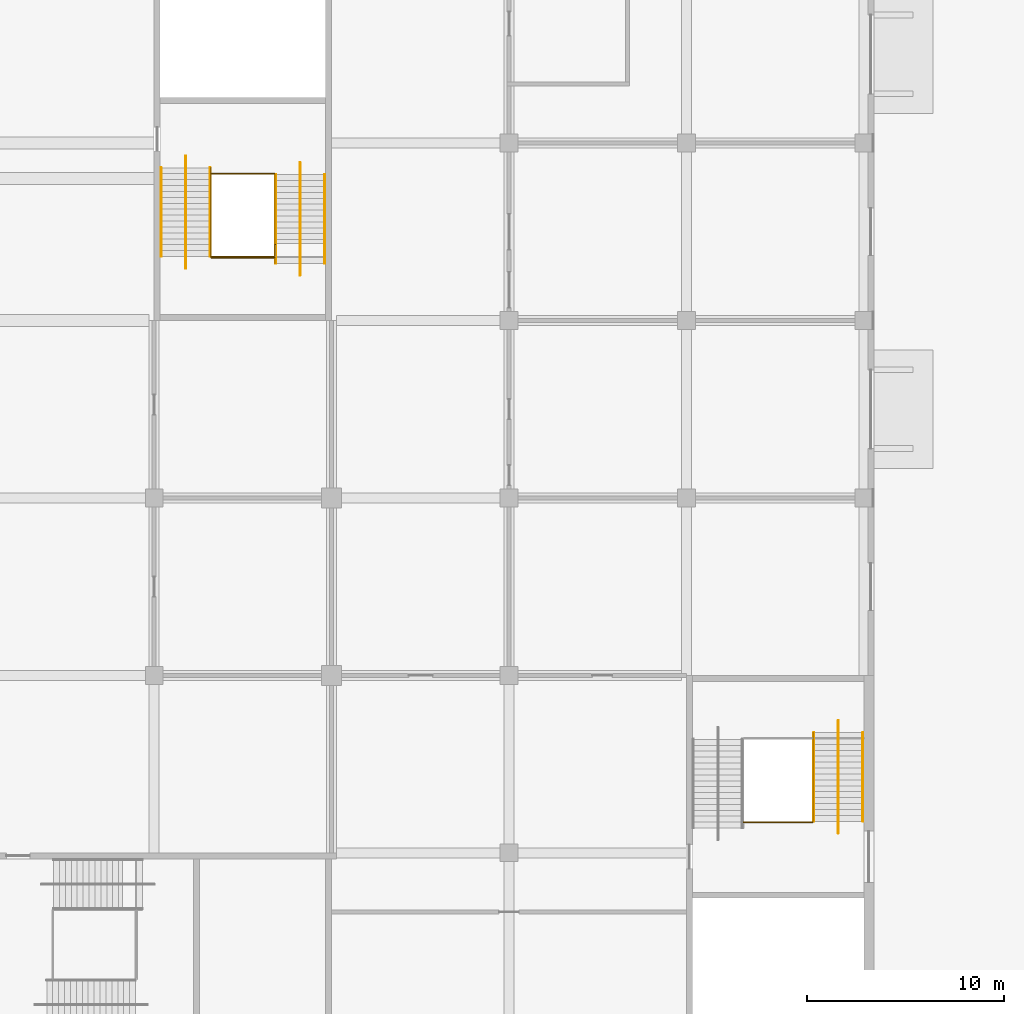
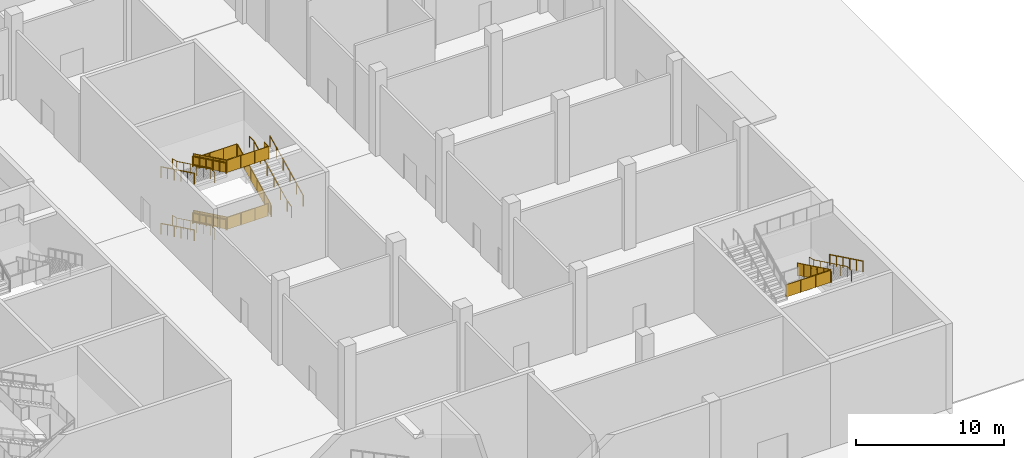
# One storey, part 74 of 92: 20 railings.
"""IFC4 building model written with IfcOpenShell, lengths in metres."""

from ifc_helpers import new_model, si_unit, direction, frame, origin, origin_2d, place, context, subcontext, project, spatial, polyline, circle, outline, extrude, material, type_object, element, save


model = new_model("IFC4")

# Units and contexts
model_context = context("Model", 3, precision=1e-05, world=origin(), true_north=direction((0.0, 1.0)))
body_context = subcontext(model_context, "Body", "Model", "MODEL_VIEW")
ifc_project = project(units=[si_unit("LENGTHUNIT", "METRE"), si_unit("AREAUNIT", "SQUARE_METRE"), si_unit("VOLUMEUNIT", "CUBIC_METRE"), si_unit("PLANEANGLEUNIT", "RADIAN"), si_unit("MASSUNIT", "GRAM", prefix="KILO")], contexts=[model_context])

# Site, building, storey
site_placement = place(None, origin())
site = spatial("IfcSite", under=ifc_project, at=site_placement, CompositionType="ELEMENT")
building_placement = place(site_placement, origin())
building = spatial("IfcBuilding", under=site, at=building_placement, Name="Silverbay Arena", CompositionType="ELEMENT")
storey_placement = place(building_placement, origin())
storey = spatial("IfcBuildingStorey", under=building, at=storey_placement, Name="L00", CompositionType="ELEMENT", Elevation=0.0)

# Railings
ifc_material_1 = material(Name="Stainless steel", Category="steel")
railing_type_1 = type_object("IfcRailingType", Name="Stair guard 1100", PredefinedType="GUARDRAIL", material=ifc_material_1)
railing_1_placement = place(storey_placement, frame((200.875, 61.7431640625, 0.145751953125)))
element("IfcRailing", 1, at=railing_1_placement, inside=storey, type_object=railing_type_1, Name="Stair ST-E1 L00 to L01 flight 1 guard right", PredefinedType="GUARDRAIL", context=body_context, shape_type="SweptSolid", body=[
    extrude(circle(Radius=0.02392578125, at=origin_2d()), frame((0.0, 0.0, 1.076171875), z_axis=(0.0, -0.899367854138, 0.437192706873), x_axis=(1.0, 0.0, 0.0)), (0.0, 0.0, 1.0), 5.00341796875),
    extrude(outline(polyline([(-0.008056640625, 0.046142578125), (0.907958984375, 0.491455078125), (0.907958984375, 1.494384765625), (-0.008056640625, 1.049072265625), (-0.008056640625, 0.046142578125)])), frame((0.0029296875, 0.0, 0.0), z_axis=(-1.0, 0.0, 0.0), x_axis=(0.0, -1.0, 0.0)), (0.0, 0.0, 1.0), 0.006103515625),
    extrude(outline(polyline([(-0.008056640625, 0.483642578125), (0.907958984375, 0.928955078125), (0.907958984375, 1.931884765625), (-0.008056640625, 1.486572265625), (-0.008056640625, 0.483642578125)])), frame((0.0029296875, -0.89990234375, 0.0), z_axis=(-1.0, 0.0, 0.0), x_axis=(0.0, -1.0, 0.0)), (0.0, 0.0, 1.0), 0.006103515625),
    extrude(outline(polyline([(-0.008056640625, 0.921142578125), (0.907958984375, 1.366455078125), (0.907958984375, 2.369384765625), (-0.008056640625, 1.924072265625), (-0.008056640625, 0.921142578125)])), frame((0.0029296875, -1.800048828125, 0.0), z_axis=(-1.0, 0.0, 0.0), x_axis=(0.0, -1.0, 0.0)), (0.0, 0.0, 1.0), 0.006103515625),
    extrude(outline(polyline([(-0.008056640625, 1.358642578125), (0.907958984375, 1.803955078125), (0.907958984375, 2.806884765625), (-0.008056640625, 2.361572265625), (-0.008056640625, 1.358642578125)])), frame((0.0029296875, -2.699951171875, 0.0), z_axis=(-1.0, 0.0, 0.0), x_axis=(0.0, -1.0, 0.0)), (0.0, 0.0, 1.0), 0.006103515625),
    extrude(outline(polyline([(-0.008056640625, 1.796142578125), (0.907958984375, 2.241455078125), (0.907958984375, 3.244384765625), (-0.008056640625, 2.799072265625), (-0.008056640625, 1.796142578125)])), frame((0.0029296875, -3.60009765625, 0.0), z_axis=(-1.0, 0.0, 0.0), x_axis=(0.0, -1.0, 0.0)), (0.0, 0.0, 1.0), 0.006103515625),
    extrude(circle(Radius=0.02099609375, at=origin_2d()), origin(), (0.0, 0.0, 1.0), 1.052001953125),
    extrude(circle(Radius=0.02099609375, at=origin_2d()), frame((0.0, -0.89990234375, 0.4375)), (0.0, 0.0, 1.0), 1.052001953125),
    extrude(circle(Radius=0.02099609375, at=origin_2d()), frame((0.0, -1.800048828125, 0.875)), (0.0, 0.0, 1.0), 1.052001953125),
    extrude(circle(Radius=0.02099609375, at=origin_2d()), frame((0.0, -2.699951171875, 1.3125)), (0.0, 0.0, 1.0), 1.052001953125),
    extrude(circle(Radius=0.02099609375, at=origin_2d()), frame((0.0, -3.60009765625, 1.75)), (0.0, 0.0, 1.0), 1.052001953125),
    extrude(circle(Radius=0.02099609375, at=origin_2d()), frame((0.0, -4.5, 2.1875)), (0.0, 0.0, 1.0), 1.052001953125),
])
railing_2_placement = place(storey_placement, frame((204.125, 56.89990234375, 2.479248046875)))
element("IfcRailing", 2, at=railing_2_placement, inside=storey, type_object=railing_type_1, Name="Stair ST-E1 L00 to L01 flight 2 guard left", PredefinedType="GUARDRAIL", context=body_context, shape_type="SweptSolid", body=[
    extrude(circle(Radius=0.02392578125, at=origin_2d()), frame((0.0, 0.0, 1.076171875), z_axis=(0.0, 0.899367854138, 0.437192706873), x_axis=(-1.0, 0.0, 0.0)), (0.0, 0.0, 1.0), 5.00341796875),
    extrude(outline(polyline([(-0.008056640625, 0.046142578125), (0.907958984375, 0.491455078125), (0.907958984375, 1.494384765625), (-0.008056640625, 1.049072265625), (-0.008056640625, 0.046142578125)])), frame((-0.0029296875, 0.0, 0.0), z_axis=(1.0, 0.0, 0.0), x_axis=(0.0, 1.0, 0.0)), (0.0, 0.0, 1.0), 0.006103515625),
    extrude(outline(polyline([(-0.008056640625, 0.483642578125), (0.907958984375, 0.928955078125), (0.907958984375, 1.931884765625), (-0.008056640625, 1.486572265625), (-0.008056640625, 0.483642578125)])), frame((-0.0029296875, 0.89990234375, 0.0), z_axis=(1.0, 0.0, 0.0), x_axis=(0.0, 1.0, 0.0)), (0.0, 0.0, 1.0), 0.006103515625),
    extrude(outline(polyline([(-0.008056640625, 0.921142578125), (0.907958984375, 1.366455078125), (0.907958984375, 2.369384765625), (-0.008056640625, 1.924072265625), (-0.008056640625, 0.921142578125)])), frame((-0.0029296875, 1.800048828125, 0.0), z_axis=(1.0, 0.0, 0.0), x_axis=(0.0, 1.0, 0.0)), (0.0, 0.0, 1.0), 0.006103515625),
    extrude(outline(polyline([(-0.008056640625, 1.358642578125), (0.907958984375, 1.803955078125), (0.907958984375, 2.806884765625), (-0.008056640625, 2.361572265625), (-0.008056640625, 1.358642578125)])), frame((-0.0029296875, 2.699951171875, 0.0), z_axis=(1.0, 0.0, 0.0), x_axis=(0.0, 1.0, 0.0)), (0.0, 0.0, 1.0), 0.006103515625),
    extrude(outline(polyline([(-0.008056640625, 1.796142578125), (0.907958984375, 2.241455078125), (0.907958984375, 3.244384765625), (-0.008056640625, 2.799072265625), (-0.008056640625, 1.796142578125)])), frame((-0.0029296875, 3.60009765625, 0.0), z_axis=(1.0, 0.0, 0.0), x_axis=(0.0, 1.0, 0.0)), (0.0, 0.0, 1.0), 0.006103515625),
    extrude(circle(Radius=0.02099609375, at=origin_2d()), origin(), (0.0, 0.0, 1.0), 1.052001953125),
    extrude(circle(Radius=0.02099609375, at=origin_2d()), frame((0.0, 0.89990234375, 0.4375)), (0.0, 0.0, 1.0), 1.052001953125),
    extrude(circle(Radius=0.02099609375, at=origin_2d()), frame((0.0, 1.800048828125, 0.875)), (0.0, 0.0, 1.0), 1.052001953125),
    extrude(circle(Radius=0.02099609375, at=origin_2d()), frame((0.0, 2.699951171875, 1.3125)), (0.0, 0.0, 1.0), 1.052001953125),
    extrude(circle(Radius=0.02099609375, at=origin_2d()), frame((0.0, 3.60009765625, 1.75)), (0.0, 0.0, 1.0), 1.052001953125),
    extrude(circle(Radius=0.02099609375, at=origin_2d()), frame((0.0, 4.5, 2.1875)), (0.0, 0.0, 1.0), 1.052001953125),
])
railing_3_placement = place(storey_placement, frame((200.875, 61.7431640625, 4.8125)))
element("IfcRailing", 3, at=railing_3_placement, inside=storey, type_object=railing_type_1, Name="Stair ST-E1 L00 to L01 flight 3 guard right", PredefinedType="GUARDRAIL", context=body_context, shape_type="SweptSolid", body=[
    extrude(circle(Radius=0.02392578125, at=origin_2d()), frame((0.0, 0.0, 1.076171875), z_axis=(0.0, -0.899367854138, 0.437192706873), x_axis=(1.0, 0.0, 0.0)), (0.0, 0.0, 1.0), 5.00341796875),
    extrude(outline(polyline([(-0.008056640625, 0.046142578125), (0.907958984375, 0.491455078125), (0.907958984375, 1.494384765625), (-0.008056640625, 1.049072265625), (-0.008056640625, 0.046142578125)])), frame((0.0029296875, 0.0, 0.0), z_axis=(-1.0, 0.0, 0.0), x_axis=(0.0, -1.0, 0.0)), (0.0, 0.0, 1.0), 0.006103515625),
    extrude(outline(polyline([(-0.008056640625, 0.483642578125), (0.907958984375, 0.928955078125), (0.907958984375, 1.931884765625), (-0.008056640625, 1.486572265625), (-0.008056640625, 0.483642578125)])), frame((0.0029296875, -0.89990234375, 0.0), z_axis=(-1.0, 0.0, 0.0), x_axis=(0.0, -1.0, 0.0)), (0.0, 0.0, 1.0), 0.006103515625),
    extrude(outline(polyline([(-0.008056640625, 0.921142578125), (0.907958984375, 1.366455078125), (0.907958984375, 2.369384765625), (-0.008056640625, 1.924072265625), (-0.008056640625, 0.921142578125)])), frame((0.0029296875, -1.800048828125, 0.0), z_axis=(-1.0, 0.0, 0.0), x_axis=(0.0, -1.0, 0.0)), (0.0, 0.0, 1.0), 0.006103515625),
    extrude(outline(polyline([(-0.008056640625, 1.358642578125), (0.907958984375, 1.803955078125), (0.907958984375, 2.806884765625), (-0.008056640625, 2.361572265625), (-0.008056640625, 1.358642578125)])), frame((0.0029296875, -2.699951171875, 0.0), z_axis=(-1.0, 0.0, 0.0), x_axis=(0.0, -1.0, 0.0)), (0.0, 0.0, 1.0), 0.006103515625),
    extrude(outline(polyline([(-0.008056640625, 1.796142578125), (0.907958984375, 2.241455078125), (0.907958984375, 3.244384765625), (-0.008056640625, 2.799072265625), (-0.008056640625, 1.796142578125)])), frame((0.0029296875, -3.60009765625, 0.0), z_axis=(-1.0, 0.0, 0.0), x_axis=(0.0, -1.0, 0.0)), (0.0, 0.0, 1.0), 0.006103515625),
    extrude(circle(Radius=0.02099609375, at=origin_2d()), origin(), (0.0, 0.0, 1.0), 1.052001953125),
    extrude(circle(Radius=0.02099609375, at=origin_2d()), frame((0.0, -0.89990234375, 0.4375)), (0.0, 0.0, 1.0), 1.052001953125),
    extrude(circle(Radius=0.02099609375, at=origin_2d()), frame((0.0, -1.800048828125, 0.875)), (0.0, 0.0, 1.0), 1.052001953125),
    extrude(circle(Radius=0.02099609375, at=origin_2d()), frame((0.0, -2.699951171875, 1.3125)), (0.0, 0.0, 1.0), 1.052001953125),
    extrude(circle(Radius=0.02099609375, at=origin_2d()), frame((0.0, -3.60009765625, 1.75)), (0.0, 0.0, 1.0), 1.052001953125),
    extrude(circle(Radius=0.02099609375, at=origin_2d()), frame((0.0, -4.5, 2.1875)), (0.0, 0.0, 1.0), 1.052001953125),
])
for number, where, name in (
    (4, (200.89990234375, 57.193115234375, 2.333251953125), "Stair ST-E1 L00 to L01 landing 1 guard"),
    (5, (200.89990234375, 61.449951171875, 4.666748046875), "Stair ST-E1 L00 to L01 landing 2 guard"),
):
    element("IfcRailing", number, at=place(storey_placement, frame(where)), inside=storey, type_object=railing_type_1, Name=name, PredefinedType="GUARDRAIL", context=body_context, shape_type="SweptSolid", body=[
        extrude(circle(Radius=0.02392578125, at=origin_2d()), frame((0.0, 0.0, 1.076171875), z_axis=(1.0, 0.0, 0.0), x_axis=(0.0, 1.0, 0.0)), (0.0, 0.0, 1.0), 3.2001953125),
        extrude(outline(polyline([(-0.008056640625, 0.050048828125), (1.07470703125, 0.050048828125), (1.07470703125, 1.052978515625), (-0.008056640625, 1.052978515625), (-0.008056640625, 0.050048828125)])), frame((0.0, 0.0029296875, 0.0), z_axis=(0.0, -1.0, 0.0), x_axis=(1.0, 0.0, 0.0)), (0.0, 0.0, 1.0), 0.006103515625),
        extrude(outline(polyline([(-0.008056640625, 0.050048828125), (1.07470703125, 0.050048828125), (1.07470703125, 1.052978515625), (-0.008056640625, 1.052978515625), (-0.008056640625, 0.050048828125)])), frame((1.066650390625, 0.0029296875, 0.0), z_axis=(0.0, -1.0, 0.0), x_axis=(1.0, 0.0, 0.0)), (0.0, 0.0, 1.0), 0.006103515625),
        extrude(outline(polyline([(-0.008056640625, 0.050048828125), (1.07470703125, 0.050048828125), (1.07470703125, 1.052978515625), (-0.008056640625, 1.052978515625), (-0.008056640625, 0.050048828125)])), frame((2.133544921875, 0.0029296875, 0.0), z_axis=(0.0, -1.0, 0.0), x_axis=(1.0, 0.0, 0.0)), (0.0, 0.0, 1.0), 0.006103515625),
        extrude(circle(Radius=0.02099609375, at=origin_2d()), origin(), (0.0, 0.0, 1.0), 1.052001953125),
        extrude(circle(Radius=0.02099609375, at=origin_2d()), frame((1.066650390625, 0.0, 0.0)), (0.0, 0.0, 1.0), 1.052001953125),
        extrude(circle(Radius=0.02099609375, at=origin_2d()), frame((2.133544921875, 0.0, 0.0)), (0.0, 0.0, 1.0), 1.052001953125),
        extrude(circle(Radius=0.02099609375, at=origin_2d()), frame((3.2001953125, 0.0, 0.0)), (0.0, 0.0, 1.0), 1.052001953125),
    ])
railing_4_placement = place(storey_placement, frame((204.14990234375, 57.85009765625, 7.0)))
element("IfcRailing", 6, at=railing_4_placement, inside=storey, type_object=railing_type_1, Name="Stair ST-E1 L00 to L01 landing 3 guard", PredefinedType="GUARDRAIL", context=body_context, shape_type="SweptSolid", body=[
    extrude(circle(Radius=0.02392578125, at=origin_2d()), frame((0.0, 0.0, 1.076171875), z_axis=(0.0, -1.0, 0.0), x_axis=(1.0, 0.0, 0.0)), (0.0, 0.0, 1.0), 0.60693359375),
    extrude(outline(polyline([(-0.008056640625, 0.050048828125), (0.614990234375, 0.050048828125), (0.614990234375, 1.052978515625), (-0.008056640625, 1.052978515625), (-0.008056640625, 0.050048828125)])), frame((0.0029296875, 0.0, 0.0), z_axis=(-1.0, 0.0, 0.0), x_axis=(0.0, -1.0, 0.0)), (0.0, 0.0, 1.0), 0.006103515625),
    extrude(circle(Radius=0.02392578125, at=origin_2d()), frame((0.0, -0.60693359375, 1.076171875), z_axis=(-1.0, 0.0, 0.0), x_axis=(0.0, -1.0, 0.0)), (0.0, 0.0, 1.0), 3.25),
    extrude(outline(polyline([(-0.008056640625, 0.050048828125), (1.09130859375, 0.050048828125), (1.09130859375, 1.052978515625), (-0.008056640625, 1.052978515625), (-0.008056640625, 0.050048828125)])), frame((0.0, -0.60986328125, 0.0), z_axis=(0.0, 1.0, 0.0), x_axis=(-1.0, 0.0, 0.0)), (0.0, 0.0, 1.0), 0.006103515625),
    extrude(outline(polyline([(-0.008056640625, 0.050048828125), (1.09130859375, 0.050048828125), (1.09130859375, 1.052978515625), (-0.008056640625, 1.052978515625), (-0.008056640625, 0.050048828125)])), frame((-1.083251953125, -0.60986328125, 0.0), z_axis=(0.0, 1.0, 0.0), x_axis=(-1.0, 0.0, 0.0)), (0.0, 0.0, 1.0), 0.006103515625),
    extrude(outline(polyline([(-0.008056640625, 0.050048828125), (1.09130859375, 0.050048828125), (1.09130859375, 1.052978515625), (-0.008056640625, 1.052978515625), (-0.008056640625, 0.050048828125)])), frame((-2.166748046875, -0.60986328125, 0.0), z_axis=(0.0, 1.0, 0.0), x_axis=(-1.0, 0.0, 0.0)), (0.0, 0.0, 1.0), 0.006103515625),
    extrude(circle(Radius=0.02099609375, at=origin_2d()), origin(), (0.0, 0.0, 1.0), 1.052001953125),
    extrude(circle(Radius=0.02099609375, at=origin_2d()), frame((0.0, -0.60693359375, 0.0)), (0.0, 0.0, 1.0), 1.052001953125),
    extrude(circle(Radius=0.02099609375, at=origin_2d()), frame((-1.083251953125, -0.60693359375, 0.0)), (0.0, 0.0, 1.0), 1.052001953125),
    extrude(circle(Radius=0.02099609375, at=origin_2d()), frame((-2.166748046875, -0.60693359375, 0.0)), (0.0, 0.0, 1.0), 1.052001953125),
    extrude(circle(Radius=0.02099609375, at=origin_2d()), frame((-3.25, -0.60693359375, 0.0)), (0.0, 0.0, 1.0), 1.052001953125),
])
railing_5_placement = place(storey_placement, frame((231.425048828125, 33.10009765625, 2.479248046875)))
element("IfcRailing", 7, at=railing_5_placement, inside=storey, type_object=railing_type_1, Name="Stair ST-EG1 L00 to L01 flight 2 guard left", PredefinedType="GUARDRAIL", context=body_context, shape_type="SweptSolid", body=[
    extrude(circle(Radius=0.02392578125, at=origin_2d()), frame((0.0, 0.0, 1.076171875), z_axis=(0.0, -0.899367854138, 0.437192706873), x_axis=(1.0, 0.0, 0.0)), (0.0, 0.0, 1.0), 5.00341796875),
    extrude(outline(polyline([(-0.008056640625, 0.046142578125), (0.907958984375, 0.491455078125), (0.907958984375, 1.494384765625), (-0.008056640625, 1.049072265625), (-0.008056640625, 0.046142578125)])), frame((0.0029296875, 0.0, 0.0), z_axis=(-1.0, 0.0, 0.0), x_axis=(0.0, -1.0, 0.0)), (0.0, 0.0, 1.0), 0.006103515625),
    extrude(outline(polyline([(-0.008056640625, 0.483642578125), (0.907958984375, 0.928955078125), (0.907958984375, 1.931884765625), (-0.008056640625, 1.486572265625), (-0.008056640625, 0.483642578125)])), frame((0.0029296875, -0.89990234375, 0.0), z_axis=(-1.0, 0.0, 0.0), x_axis=(0.0, -1.0, 0.0)), (0.0, 0.0, 1.0), 0.006103515625),
    extrude(outline(polyline([(-0.008056640625, 0.921142578125), (0.907958984375, 1.366455078125), (0.907958984375, 2.369384765625), (-0.008056640625, 1.924072265625), (-0.008056640625, 0.921142578125)])), frame((0.0029296875, -1.800048828125, 0.0), z_axis=(-1.0, 0.0, 0.0), x_axis=(0.0, -1.0, 0.0)), (0.0, 0.0, 1.0), 0.006103515625),
    extrude(outline(polyline([(-0.008056640625, 1.358642578125), (0.907958984375, 1.803955078125), (0.907958984375, 2.806884765625), (-0.008056640625, 2.361572265625), (-0.008056640625, 1.358642578125)])), frame((0.0029296875, -2.699951171875, 0.0), z_axis=(-1.0, 0.0, 0.0), x_axis=(0.0, -1.0, 0.0)), (0.0, 0.0, 1.0), 0.006103515625),
    extrude(outline(polyline([(-0.008056640625, 1.796142578125), (0.907958984375, 2.241455078125), (0.907958984375, 3.244384765625), (-0.008056640625, 2.799072265625), (-0.008056640625, 1.796142578125)])), frame((0.0029296875, -3.60009765625, 0.0), z_axis=(-1.0, 0.0, 0.0), x_axis=(0.0, -1.0, 0.0)), (0.0, 0.0, 1.0), 0.006103515625),
    extrude(circle(Radius=0.02099609375, at=origin_2d()), origin(), (0.0, 0.0, 1.0), 1.052001953125),
    extrude(circle(Radius=0.02099609375, at=origin_2d()), frame((0.0, -0.89990234375, 0.4375)), (0.0, 0.0, 1.0), 1.052001953125),
    extrude(circle(Radius=0.02099609375, at=origin_2d()), frame((0.0, -1.800048828125, 0.875)), (0.0, 0.0, 1.0), 1.052001953125),
    extrude(circle(Radius=0.02099609375, at=origin_2d()), frame((0.0, -2.699951171875, 1.3125)), (0.0, 0.0, 1.0), 1.052001953125),
    extrude(circle(Radius=0.02099609375, at=origin_2d()), frame((0.0, -3.60009765625, 1.75)), (0.0, 0.0, 1.0), 1.052001953125),
    extrude(circle(Radius=0.02099609375, at=origin_2d()), frame((0.0, -4.5, 2.1875)), (0.0, 0.0, 1.0), 1.052001953125),
])
railing_6_placement = place(storey_placement, frame((227.89990234375, 28.550048828125, 4.666748046875)))
element("IfcRailing", 8, at=railing_6_placement, inside=storey, type_object=railing_type_1, Name="Stair ST-EG1 L00 to L01 landing 2 guard", PredefinedType="GUARDRAIL", context=body_context, shape_type="SweptSolid", body=[
    extrude(circle(Radius=0.02392578125, at=origin_2d()), frame((0.0, 0.0, 1.076171875), z_axis=(1.0, 0.0, 0.0), x_axis=(0.0, 1.0, 0.0)), (0.0, 0.0, 1.0), 3.5),
    extrude(outline(polyline([(-0.008056640625, 0.050048828125), (1.174560546875, 0.050048828125), (1.174560546875, 1.052978515625), (-0.008056640625, 1.052978515625), (-0.008056640625, 0.050048828125)])), frame((0.0, 0.0029296875, 0.0), z_axis=(0.0, -1.0, 0.0), x_axis=(1.0, 0.0, 0.0)), (0.0, 0.0, 1.0), 0.006103515625),
    extrude(outline(polyline([(-0.008056640625, 0.050048828125), (1.174560546875, 0.050048828125), (1.174560546875, 1.052978515625), (-0.008056640625, 1.052978515625), (-0.008056640625, 0.050048828125)])), frame((1.166748046875, 0.0029296875, 0.0), z_axis=(0.0, -1.0, 0.0), x_axis=(1.0, 0.0, 0.0)), (0.0, 0.0, 1.0), 0.006103515625),
    extrude(outline(polyline([(-0.008056640625, 0.050048828125), (1.174560546875, 0.050048828125), (1.174560546875, 1.052978515625), (-0.008056640625, 1.052978515625), (-0.008056640625, 0.050048828125)])), frame((2.333251953125, 0.0029296875, 0.0), z_axis=(0.0, -1.0, 0.0), x_axis=(1.0, 0.0, 0.0)), (0.0, 0.0, 1.0), 0.006103515625),
    extrude(circle(Radius=0.02099609375, at=origin_2d()), origin(), (0.0, 0.0, 1.0), 1.052001953125),
    extrude(circle(Radius=0.02099609375, at=origin_2d()), frame((1.166748046875, 0.0, 0.0)), (0.0, 0.0, 1.0), 1.052001953125),
    extrude(circle(Radius=0.02099609375, at=origin_2d()), frame((2.333251953125, 0.0, 0.0)), (0.0, 0.0, 1.0), 1.052001953125),
    extrude(circle(Radius=0.02099609375, at=origin_2d()), frame((3.5, 0.0, 0.0)), (0.0, 0.0, 1.0), 1.052001953125),
])
ifc_material_2 = material(Name="Stainless steel", Category="steel")
railing_type_2 = type_object("IfcRailingType", Name="Stair handrail 900", PredefinedType="HANDRAIL", material=ifc_material_2)
for number, where, name in (
    (9, (198.35009765625, 61.7431640625, 0.145751953125), "Stair ST-E1 L00 to L01 flight 1 handrail left"),
    (10, (200.8359375, 61.7431640625, 0.145751953125), "Stair ST-E1 L00 to L01 flight 1 handrail right"),
):
    element("IfcRailing", number, at=place(storey_placement, frame(where)), inside=storey, type_object=railing_type_2, Name=name, PredefinedType="HANDRAIL", context=body_context, shape_type="SweptSolid", body=[
        extrude(circle(Radius=0.02392578125, at=origin_2d()), frame((0.0, 0.0, 0.8759765625), z_axis=(0.0, -0.899367854138, 0.437192706873), x_axis=(1.0, 0.0, 0.0)), (0.0, 0.0, 1.0), 5.00341796875),
        extrude(circle(Radius=0.02099609375, at=origin_2d()), origin(), (0.0, 0.0, 1.0), 0.851806640625),
        extrude(circle(Radius=0.02099609375, at=origin_2d()), frame((0.0, -0.89990234375, 0.4375)), (0.0, 0.0, 1.0), 0.851806640625),
        extrude(circle(Radius=0.02099609375, at=origin_2d()), frame((0.0, -1.800048828125, 0.875)), (0.0, 0.0, 1.0), 0.851806640625),
        extrude(circle(Radius=0.02099609375, at=origin_2d()), frame((0.0, -2.699951171875, 1.3125)), (0.0, 0.0, 1.0), 0.851806640625),
        extrude(circle(Radius=0.02099609375, at=origin_2d()), frame((0.0, -3.60009765625, 1.75)), (0.0, 0.0, 1.0), 0.851806640625),
        extrude(circle(Radius=0.02099609375, at=origin_2d()), frame((0.0, -4.5, 2.1875)), (0.0, 0.0, 1.0), 0.851806640625),
    ])
railing_7_placement = place(storey_placement, frame((199.60009765625, 62.343017578125, 0.0)))
element("IfcRailing", 11, at=railing_7_placement, inside=storey, type_object=railing_type_2, Name="Stair ST-E1 L00 to L01 flight 1 central handrail", PredefinedType="HANDRAIL", context=body_context, shape_type="SweptSolid", body=[
    extrude(circle(Radius=0.02392578125, at=origin_2d()), frame((0.0, 0.0, 0.8759765625), z_axis=(0.0, -0.971726487806, 0.23610936639), x_axis=(1.0, 0.0, 0.0)), (0.0, 0.0, 1.0), 0.6171875),
    extrude(circle(Radius=0.02392578125, at=origin_2d()), frame((0.0, -0.599853515625, 1.021484375), z_axis=(0.0, -0.899367854138, 0.437192706873), x_axis=(1.0, 0.0, 0.0)), (0.0, 0.0, 1.0), 5.00341796875),
    extrude(circle(Radius=0.02392578125, at=origin_2d()), frame((0.0, -5.099853515625, 3.208984375), z_axis=(0.0, -1.0, 0.0), x_axis=(1.0, 0.0, 0.0)), (0.0, 0.0, 1.0), 0.60009765625),
    extrude(circle(Radius=0.02099609375, at=origin_2d()), origin(), (0.0, 0.0, 1.0), 0.851806640625),
    extrude(circle(Radius=0.02099609375, at=origin_2d()), frame((0.0, -0.599853515625, 0.145751953125)), (0.0, 0.0, 1.0), 0.851806640625),
    extrude(circle(Radius=0.02099609375, at=origin_2d()), frame((0.0, -1.499755859375, 0.583251953125)), (0.0, 0.0, 1.0), 0.851806640625),
    extrude(circle(Radius=0.02099609375, at=origin_2d()), frame((0.0, -2.39990234375, 1.020751953125)), (0.0, 0.0, 1.0), 0.851806640625),
    extrude(circle(Radius=0.02099609375, at=origin_2d()), frame((0.0, -3.2998046875, 1.458251953125)), (0.0, 0.0, 1.0), 0.851806640625),
    extrude(circle(Radius=0.02099609375, at=origin_2d()), frame((0.0, -4.199951171875, 1.895751953125)), (0.0, 0.0, 1.0), 0.851806640625),
    extrude(circle(Radius=0.02099609375, at=origin_2d()), frame((0.0, -5.099853515625, 2.333251953125)), (0.0, 0.0, 1.0), 0.851806640625),
    extrude(circle(Radius=0.02099609375, at=origin_2d()), frame((0.0, -5.699951171875, 2.333251953125)), (0.0, 0.0, 1.0), 0.851806640625),
])
for number, where, name in (
    (12, (204.1640625, 56.89990234375, 2.479248046875), "Stair ST-E1 L00 to L01 flight 2 handrail left"),
    (13, (206.64990234375, 56.89990234375, 2.479248046875), "Stair ST-E1 L00 to L01 flight 2 handrail right"),
):
    element("IfcRailing", number, at=place(storey_placement, frame(where)), inside=storey, type_object=railing_type_2, Name=name, PredefinedType="HANDRAIL", context=body_context, shape_type="SweptSolid", body=[
        extrude(circle(Radius=0.02392578125, at=origin_2d()), frame((0.0, 0.0, 0.8759765625), z_axis=(0.0, 0.899367854138, 0.437192706873), x_axis=(-1.0, 0.0, 0.0)), (0.0, 0.0, 1.0), 5.00341796875),
        extrude(circle(Radius=0.02099609375, at=origin_2d()), origin(), (0.0, 0.0, 1.0), 0.851806640625),
        extrude(circle(Radius=0.02099609375, at=origin_2d()), frame((0.0, 0.89990234375, 0.4375)), (0.0, 0.0, 1.0), 0.851806640625),
        extrude(circle(Radius=0.02099609375, at=origin_2d()), frame((0.0, 1.800048828125, 0.875)), (0.0, 0.0, 1.0), 0.851806640625),
        extrude(circle(Radius=0.02099609375, at=origin_2d()), frame((0.0, 2.699951171875, 1.3125)), (0.0, 0.0, 1.0), 0.851806640625),
        extrude(circle(Radius=0.02099609375, at=origin_2d()), frame((0.0, 3.60009765625, 1.75)), (0.0, 0.0, 1.0), 0.851806640625),
        extrude(circle(Radius=0.02099609375, at=origin_2d()), frame((0.0, 4.5, 2.1875)), (0.0, 0.0, 1.0), 0.851806640625),
    ])
railing_8_placement = place(storey_placement, frame((205.39990234375, 56.300048828125, 2.333251953125)))
element("IfcRailing", 14, at=railing_8_placement, inside=storey, type_object=railing_type_2, Name="Stair ST-E1 L00 to L01 flight 2 central handrail", PredefinedType="HANDRAIL", context=body_context, shape_type="SweptSolid", body=[
    extrude(circle(Radius=0.02392578125, at=origin_2d()), frame((0.0, 0.0, 0.8759765625), z_axis=(0.0, 0.971635685089, 0.236482759334), x_axis=(-1.0, 0.0, 0.0)), (0.0, 0.0, 1.0), 0.617431640625),
    extrude(circle(Radius=0.02392578125, at=origin_2d()), frame((0.0, 0.599853515625, 1.02197265625), z_axis=(0.0, 0.899367854138, 0.437192706873), x_axis=(-1.0, 0.0, 0.0)), (0.0, 0.0, 1.0), 5.00341796875),
    extrude(circle(Radius=0.02392578125, at=origin_2d()), frame((0.0, 5.099853515625, 3.20947265625), z_axis=(0.0, 1.0, 0.0), x_axis=(-1.0, 0.0, 0.0)), (0.0, 0.0, 1.0), 0.60009765625),
    extrude(circle(Radius=0.02099609375, at=origin_2d()), origin(), (0.0, 0.0, 1.0), 0.851806640625),
    extrude(circle(Radius=0.02099609375, at=origin_2d()), frame((0.0, 0.599853515625, 0.14599609375)), (0.0, 0.0, 1.0), 0.851806640625),
    extrude(circle(Radius=0.02099609375, at=origin_2d()), frame((0.0, 1.499755859375, 0.58349609375)), (0.0, 0.0, 1.0), 0.851806640625),
    extrude(circle(Radius=0.02099609375, at=origin_2d()), frame((0.0, 2.39990234375, 1.02099609375)), (0.0, 0.0, 1.0), 0.851806640625),
    extrude(circle(Radius=0.02099609375, at=origin_2d()), frame((0.0, 3.2998046875, 1.45849609375)), (0.0, 0.0, 1.0), 0.851806640625),
    extrude(circle(Radius=0.02099609375, at=origin_2d()), frame((0.0, 4.199951171875, 1.89599609375)), (0.0, 0.0, 1.0), 0.851806640625),
    extrude(circle(Radius=0.02099609375, at=origin_2d()), frame((0.0, 5.099853515625, 2.33349609375)), (0.0, 0.0, 1.0), 0.851806640625),
    extrude(circle(Radius=0.02099609375, at=origin_2d()), frame((0.0, 5.699951171875, 2.33349609375)), (0.0, 0.0, 1.0), 0.851806640625),
])
for number, where, name in (
    (15, (198.35009765625, 61.7431640625, 4.8125), "Stair ST-E1 L00 to L01 flight 3 handrail left"),
    (16, (200.8359375, 61.7431640625, 4.8125), "Stair ST-E1 L00 to L01 flight 3 handrail right"),
):
    element("IfcRailing", number, at=place(storey_placement, frame(where)), inside=storey, type_object=railing_type_2, Name=name, PredefinedType="HANDRAIL", context=body_context, shape_type="SweptSolid", body=[
        extrude(circle(Radius=0.02392578125, at=origin_2d()), frame((0.0, 0.0, 0.8759765625), z_axis=(0.0, -0.899367854138, 0.437192706873), x_axis=(1.0, 0.0, 0.0)), (0.0, 0.0, 1.0), 5.00341796875),
        extrude(circle(Radius=0.02099609375, at=origin_2d()), origin(), (0.0, 0.0, 1.0), 0.851806640625),
        extrude(circle(Radius=0.02099609375, at=origin_2d()), frame((0.0, -0.89990234375, 0.4375)), (0.0, 0.0, 1.0), 0.851806640625),
        extrude(circle(Radius=0.02099609375, at=origin_2d()), frame((0.0, -1.800048828125, 0.875)), (0.0, 0.0, 1.0), 0.851806640625),
        extrude(circle(Radius=0.02099609375, at=origin_2d()), frame((0.0, -2.699951171875, 1.3125)), (0.0, 0.0, 1.0), 0.851806640625),
        extrude(circle(Radius=0.02099609375, at=origin_2d()), frame((0.0, -3.60009765625, 1.75)), (0.0, 0.0, 1.0), 0.851806640625),
        extrude(circle(Radius=0.02099609375, at=origin_2d()), frame((0.0, -4.5, 2.1875)), (0.0, 0.0, 1.0), 0.851806640625),
    ])
railing_9_placement = place(storey_placement, frame((199.60009765625, 62.343017578125, 4.666748046875)))
element("IfcRailing", 17, at=railing_9_placement, inside=storey, type_object=railing_type_2, Name="Stair ST-E1 L00 to L01 flight 3 central handrail", PredefinedType="HANDRAIL", context=body_context, shape_type="SweptSolid", body=[
    extrude(circle(Radius=0.02392578125, at=origin_2d()), frame((0.0, 0.0, 0.8759765625), z_axis=(0.0, -0.971726487806, 0.23610936639), x_axis=(1.0, 0.0, 0.0)), (0.0, 0.0, 1.0), 0.6171875),
    extrude(circle(Radius=0.02392578125, at=origin_2d()), frame((0.0, -0.599853515625, 1.021484375), z_axis=(0.0, -0.899367854138, 0.437192706873), x_axis=(1.0, 0.0, 0.0)), (0.0, 0.0, 1.0), 5.00341796875),
    extrude(circle(Radius=0.02392578125, at=origin_2d()), frame((0.0, -5.099853515625, 3.208984375), z_axis=(0.0, -1.0, 0.0), x_axis=(1.0, 0.0, 0.0)), (0.0, 0.0, 1.0), 0.60009765625),
    extrude(circle(Radius=0.02099609375, at=origin_2d()), origin(), (0.0, 0.0, 1.0), 0.851806640625),
    extrude(circle(Radius=0.02099609375, at=origin_2d()), frame((0.0, -0.599853515625, 0.145751953125)), (0.0, 0.0, 1.0), 0.851806640625),
    extrude(circle(Radius=0.02099609375, at=origin_2d()), frame((0.0, -1.499755859375, 0.583251953125)), (0.0, 0.0, 1.0), 0.851806640625),
    extrude(circle(Radius=0.02099609375, at=origin_2d()), frame((0.0, -2.39990234375, 1.020751953125)), (0.0, 0.0, 1.0), 0.851806640625),
    extrude(circle(Radius=0.02099609375, at=origin_2d()), frame((0.0, -3.2998046875, 1.458251953125)), (0.0, 0.0, 1.0), 0.851806640625),
    extrude(circle(Radius=0.02099609375, at=origin_2d()), frame((0.0, -4.199951171875, 1.895751953125)), (0.0, 0.0, 1.0), 0.851806640625),
    extrude(circle(Radius=0.02099609375, at=origin_2d()), frame((0.0, -5.099853515625, 2.333251953125)), (0.0, 0.0, 1.0), 0.851806640625),
    extrude(circle(Radius=0.02099609375, at=origin_2d()), frame((0.0, -5.699951171875, 2.333251953125)), (0.0, 0.0, 1.0), 0.851806640625),
])
for number, where, name in (
    (18, (231.464111328125, 33.10009765625, 2.479248046875), "Stair ST-EG1 L00 to L01 flight 2 handrail left"),
    (19, (233.949951171875, 33.10009765625, 2.479248046875), "Stair ST-EG1 L00 to L01 flight 2 handrail right"),
):
    element("IfcRailing", number, at=place(storey_placement, frame(where)), inside=storey, type_object=railing_type_2, Name=name, PredefinedType="HANDRAIL", context=body_context, shape_type="SweptSolid", body=[
        extrude(circle(Radius=0.02392578125, at=origin_2d()), frame((0.0, 0.0, 0.8759765625), z_axis=(0.0, -0.899367854138, 0.437192706873), x_axis=(1.0, 0.0, 0.0)), (0.0, 0.0, 1.0), 5.00341796875),
        extrude(circle(Radius=0.02099609375, at=origin_2d()), origin(), (0.0, 0.0, 1.0), 0.851806640625),
        extrude(circle(Radius=0.02099609375, at=origin_2d()), frame((0.0, -0.89990234375, 0.4375)), (0.0, 0.0, 1.0), 0.851806640625),
        extrude(circle(Radius=0.02099609375, at=origin_2d()), frame((0.0, -1.800048828125, 0.875)), (0.0, 0.0, 1.0), 0.851806640625),
        extrude(circle(Radius=0.02099609375, at=origin_2d()), frame((0.0, -2.699951171875, 1.3125)), (0.0, 0.0, 1.0), 0.851806640625),
        extrude(circle(Radius=0.02099609375, at=origin_2d()), frame((0.0, -3.60009765625, 1.75)), (0.0, 0.0, 1.0), 0.851806640625),
        extrude(circle(Radius=0.02099609375, at=origin_2d()), frame((0.0, -4.5, 2.1875)), (0.0, 0.0, 1.0), 0.851806640625),
    ])
railing_10_placement = place(storey_placement, frame((232.699951171875, 33.699951171875, 2.333251953125)))
element("IfcRailing", 20, at=railing_10_placement, inside=storey, type_object=railing_type_2, Name="Stair ST-EG1 L00 to L01 flight 2 central handrail", PredefinedType="HANDRAIL", context=body_context, shape_type="SweptSolid", body=[
    extrude(circle(Radius=0.02392578125, at=origin_2d()), frame((0.0, 0.0, 0.8759765625), z_axis=(0.0, -0.971635685089, 0.236482759334), x_axis=(1.0, 0.0, 0.0)), (0.0, 0.0, 1.0), 0.617431640625),
    extrude(circle(Radius=0.02392578125, at=origin_2d()), frame((0.0, -0.599853515625, 1.02197265625), z_axis=(0.0, -0.899367854138, 0.437192706873), x_axis=(1.0, 0.0, 0.0)), (0.0, 0.0, 1.0), 5.00341796875),
    extrude(circle(Radius=0.02392578125, at=origin_2d()), frame((0.0, -5.099853515625, 3.20947265625), z_axis=(0.0, -1.0, 0.0), x_axis=(1.0, 0.0, 0.0)), (0.0, 0.0, 1.0), 0.60009765625),
    extrude(circle(Radius=0.02099609375, at=origin_2d()), origin(), (0.0, 0.0, 1.0), 0.851806640625),
    extrude(circle(Radius=0.02099609375, at=origin_2d()), frame((0.0, -0.599853515625, 0.14599609375)), (0.0, 0.0, 1.0), 0.851806640625),
    extrude(circle(Radius=0.02099609375, at=origin_2d()), frame((0.0, -1.499755859375, 0.58349609375)), (0.0, 0.0, 1.0), 0.851806640625),
    extrude(circle(Radius=0.02099609375, at=origin_2d()), frame((0.0, -2.39990234375, 1.02099609375)), (0.0, 0.0, 1.0), 0.851806640625),
    extrude(circle(Radius=0.02099609375, at=origin_2d()), frame((0.0, -3.2998046875, 1.45849609375)), (0.0, 0.0, 1.0), 0.851806640625),
    extrude(circle(Radius=0.02099609375, at=origin_2d()), frame((0.0, -4.199951171875, 1.89599609375)), (0.0, 0.0, 1.0), 0.851806640625),
    extrude(circle(Radius=0.02099609375, at=origin_2d()), frame((0.0, -5.099853515625, 2.33349609375)), (0.0, 0.0, 1.0), 0.851806640625),
    extrude(circle(Radius=0.02099609375, at=origin_2d()), frame((0.0, -5.699951171875, 2.33349609375)), (0.0, 0.0, 1.0), 0.851806640625),
])

save(model, "model.ifc")
